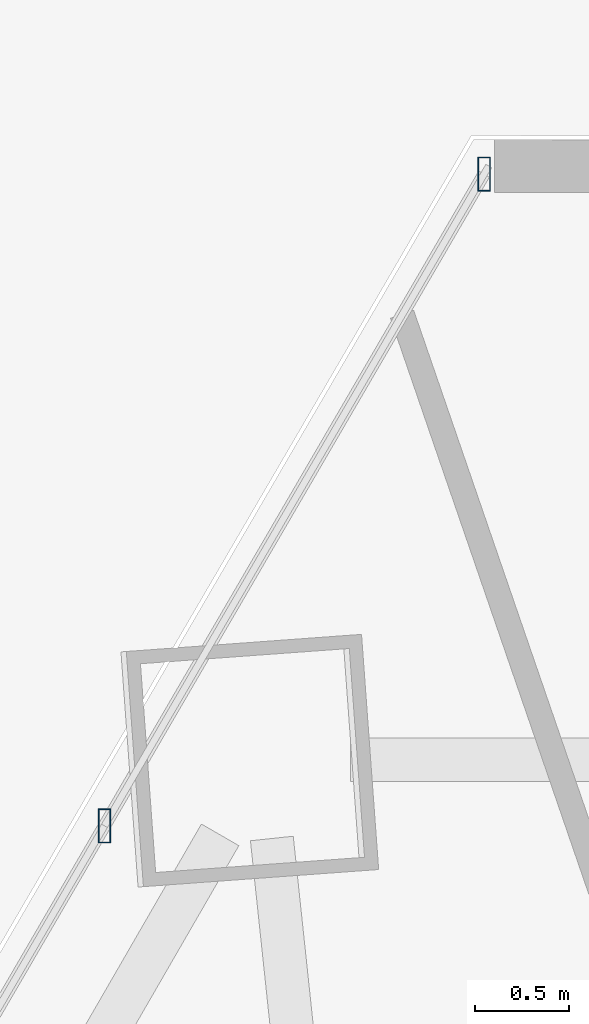
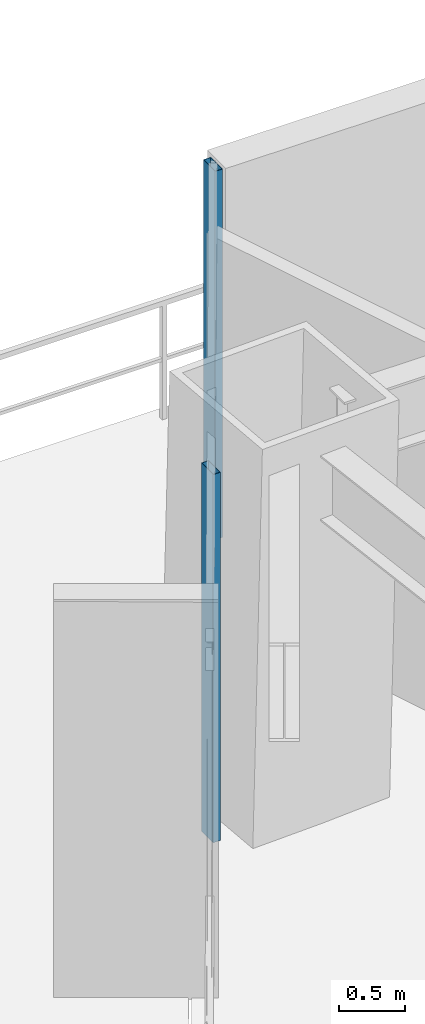
# One storey, part 23 of 35: 2 members, 1 element without a shape of its own.
"""IFC4 building model written with IfcOpenShell, lengths in metres."""

from ifc_helpers import new_model, si_unit, direction, frame, origin, origin_2d, place, context, subcontext, project, spatial, hollow_rectangle, extrude, source, transform, mapped, material, material_profile, profile_set, type_object, type_shapes, element, aggregate, save


model = new_model("IFC4")

# Units and contexts
model_context = context("Model", 3, precision=1e-05, world=origin(), true_north=direction((0.0, 1.0)))
body_context = subcontext(model_context, "Body", "Model", "MODEL_VIEW")
ifc_project = project(units=[si_unit("LENGTHUNIT", "METRE"), si_unit("AREAUNIT", "SQUARE_METRE"), si_unit("VOLUMEUNIT", "CUBIC_METRE"), si_unit("PLANEANGLEUNIT", "RADIAN"), si_unit("MASSUNIT", "GRAM", prefix="KILO")], contexts=[model_context])

# Site, building, storey
site_placement = place(None, origin())
site = spatial("IfcSite", under=ifc_project, at=site_placement, CompositionType="ELEMENT")
building_placement = place(site_placement, origin())
building = spatial("IfcBuilding", under=site, at=building_placement, Name="Caelisora Broadcast Tower", CompositionType="ELEMENT")
storey_placement = place(building_placement, frame((0.0, 0.0, 27.60009765625)))
storey = spatial("IfcBuildingStorey", under=building, at=storey_placement, Name="L06", CompositionType="ELEMENT", Elevation=27.60009765625)

# Curtain wall, members
ifc_material_1 = material(Name="Unitised Aluminium and Low-E Glass Curtain Wall", Category="glass")
curtain_wall_type = type_object("IfcCurtainWallType", Name="CW-Z1", PredefinedType="NOTDEFINED", material=ifc_material_1)
curtain_wall_placement = place(storey_placement, origin())
curtain_wall = element("IfcCurtainWall", 1, at=curtain_wall_placement, inside=storey, type_object=curtain_wall_type, Name="L06 curtain wall CW-Z1", PredefinedType="NOTDEFINED")
ifc_material_2 = material(Name="Aluminium 6063-T6 Anodised Terracotta Bronze", Category="aluminium")
ifc_material_profile = material_profile(ifc_material_2, hollow_rectangle(XDim=0.06494140625, YDim=0.179931640625, WallThickness=0.00341796875, at=origin_2d()), Name="Aluminium 6063-T6 Anodised Terracotta Bronze")
ifc_profile_set = profile_set([ifc_material_profile], Name="Aluminium 6063-T6 Anodised Terracotta Bronze")
member_type = type_object("IfcMemberType", Name="CWM-02", PredefinedType="MULLION", material=ifc_profile_set)
shared_shape = source(origin(), body_context, "Body", "SweptSolid", [
    extrude(hollow_rectangle(XDim=0.06494140625, YDim=0.179931640625, WallThickness=0.00341796875, at=origin_2d()), origin(), (0.0, 0.0, 1.0), 3.39990234375),
])
type_shapes(member_type, [shared_shape])
member_1_placement = place(storey_placement, frame((27.9326171875, 45.927490234375, 0.0), z_axis=(0.0, 0.0, 1.0), x_axis=(1.0, 0.0, 0.0)))
member_1 = element("IfcMember", 2, at=member_1_placement, type_object=member_type, Name="L06-CW-B11 mullion #2", PredefinedType="MULLION", context=body_context, shape_type="MappedRepresentation", body=[
    mapped(shared_shape, transform((0.0, 0.0, 0.0), scale=1.0)),
])
member_2_placement = place(storey_placement, frame((29.94482421875, 49.3828125, 0.0), z_axis=(0.0, 0.0, 1.0), x_axis=(1.0, 0.0, 0.0)))
member_2 = element("IfcMember", 3, at=member_2_placement, type_object=member_type, Name="L06-CW-B11 mullion #3", PredefinedType="MULLION", context=body_context, shape_type="MappedRepresentation", body=[
    mapped(shared_shape, transform((0.0, 0.0, 0.0), scale=1.0)),
])
aggregate(curtain_wall, [member_1, member_2])

save(model, "model.ifc")
